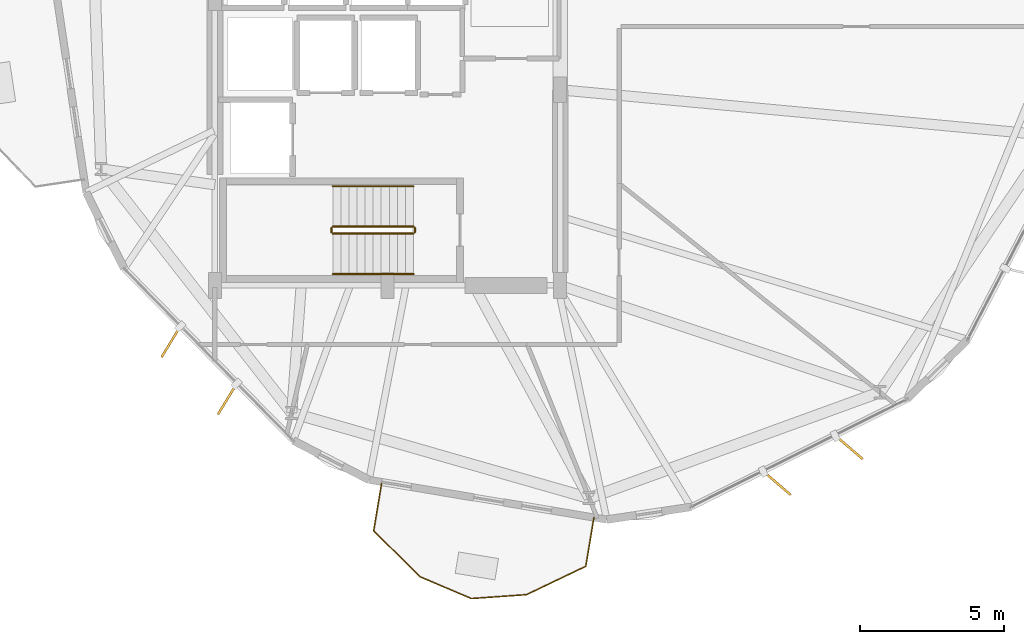
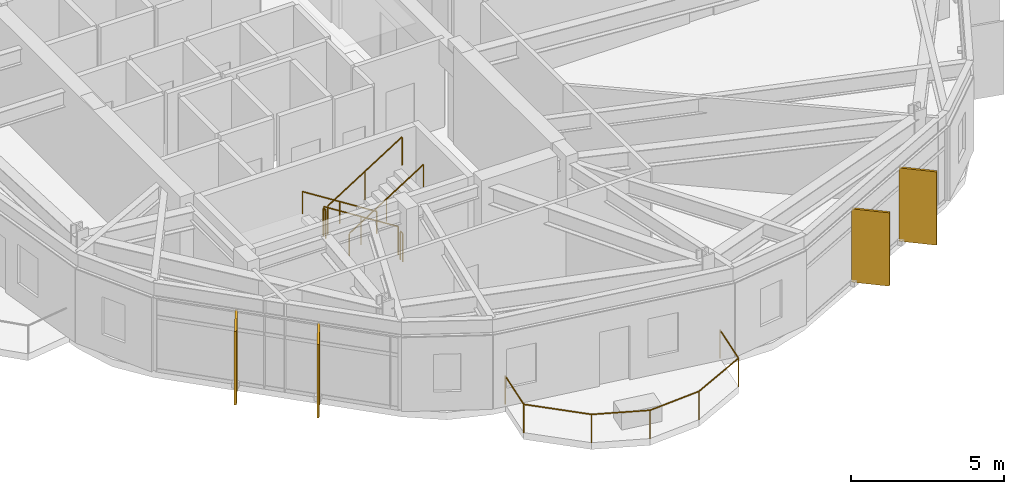
# One storey, part 20 of 22: 7 railings, 4 shading devices.
"""IFC4 building model written with IfcOpenShell, lengths in metres."""

from ifc_helpers import new_model, si_unit, direction, frame, origin, origin_2d, place, context, subcontext, project, spatial, rectangle, circle, extrude, material, layer, layer_set, type_object, element, save


model = new_model("IFC4")

# Units and contexts
model_context = context("Model", 3, precision=1e-05, world=origin(), true_north=direction((0.0, 1.0)))
body_context = subcontext(model_context, "Body", "Model", "MODEL_VIEW")
ifc_project = project(units=[si_unit("LENGTHUNIT", "METRE"), si_unit("AREAUNIT", "SQUARE_METRE"), si_unit("VOLUMEUNIT", "CUBIC_METRE"), si_unit("PLANEANGLEUNIT", "RADIAN"), si_unit("MASSUNIT", "GRAM", prefix="KILO")], contexts=[model_context])

# Site, building, storey
site_placement = place(None, origin())
site = spatial("IfcSite", under=ifc_project, at=site_placement, CompositionType="ELEMENT")
building_placement = place(site_placement, origin())
building = spatial("IfcBuilding", under=site, at=building_placement, Name="Soratama Intermodal Tower", CompositionType="ELEMENT")
storey_placement = place(building_placement, frame((0.0, 0.0, 130.300048828125)))
storey = spatial("IfcBuildingStorey", under=building, at=storey_placement, Name="L31", CompositionType="ELEMENT", Elevation=130.300048828125)

# Railings
ifc_material_1 = material(Name="Laminated glass and stainless steel balustrade", Category="steel")
railing_type_1 = type_object("IfcRailingType", Name="RL-BAL-1150", PredefinedType="BALUSTRADE", material=ifc_material_1)
railing_1_placement = place(storey_placement, frame((45.7734375, 6.936279296875, 0.0)))
element("IfcRailing", 1, at=railing_1_placement, inside=storey, type_object=railing_type_1, Name="L31 Balcony Balustrade 3", PredefinedType="BALUSTRADE", context=body_context, shape_type="SweptSolid", body=[
    extrude(circle(Radius=0.02392578125, at=origin_2d()), frame((0.0, 0.0, 1.1259765625), z_axis=(-0.164652174889, -0.986351692503, 0.0), x_axis=(0.986351692503, -0.164652174889, 0.0)), (0.0, 0.0, 1.0), 1.719970703125),
    extrude(circle(Radius=0.02392578125, at=origin_2d()), frame((-0.283203125, -1.696533203125, 1.1259765625), z_axis=(-0.902056386037, -0.431618206763, 0.0), x_axis=(0.431618206763, -0.902056386037, 0.0)), (0.0, 0.0, 1.0), 2.282958984375),
    extrude(circle(Radius=0.02392578125, at=origin_2d()), frame((-2.342529296875, -2.681884765625, 1.1259765625), z_axis=(-0.997531022271, -0.070227199913, 0.0), x_axis=(0.070227199913, -0.997531022271, 0.0)), (0.0, 0.0, 1.0), 1.92236328125),
    extrude(circle(Radius=0.02392578125, at=origin_2d()), frame((-4.26025390625, -2.81689453125, 1.1259765625), z_axis=(-0.920558253189, 0.390605302685, 0.0), x_axis=(-0.390605302685, -0.920558253189, 0.0)), (0.0, 0.0, 1.0), 1.921875),
    extrude(circle(Radius=0.02392578125, at=origin_2d()), frame((-6.029541015625, -2.066162109375, 1.1259765625), z_axis=(-0.712910517621, 0.701255013433, 0.0), x_axis=(-0.701255013433, -0.712910517621, 0.0)), (0.0, 0.0, 1.0), 2.283203125),
    extrude(circle(Radius=0.02392578125, at=origin_2d()), frame((-7.6572265625, -0.465087890625, 1.1259765625), z_axis=(0.164675230079, 0.986347843612, 0.0), x_axis=(-0.986347843612, 0.164675230079, 0.0)), (0.0, 0.0, 1.0), 1.7197265625),
    extrude(circle(Radius=0.02099609375, at=origin_2d()), origin(), (0.0, 0.0, 1.0), 1.101806640625),
    extrude(circle(Radius=0.02099609375, at=origin_2d()), frame((-0.283203125, -1.696533203125, 0.0)), (0.0, 0.0, 1.0), 1.101806640625),
    extrude(circle(Radius=0.02099609375, at=origin_2d()), frame((-2.342529296875, -2.681884765625, 0.0)), (0.0, 0.0, 1.0), 1.101806640625),
    extrude(circle(Radius=0.02099609375, at=origin_2d()), frame((-4.26025390625, -2.81689453125, 0.0)), (0.0, 0.0, 1.0), 1.101806640625),
    extrude(circle(Radius=0.02099609375, at=origin_2d()), frame((-6.029541015625, -2.066162109375, 0.0)), (0.0, 0.0, 1.0), 1.101806640625),
    extrude(circle(Radius=0.02099609375, at=origin_2d()), frame((-7.6572265625, -0.465087890625, 0.0)), (0.0, 0.0, 1.0), 1.101806640625),
    extrude(circle(Radius=0.02099609375, at=origin_2d()), frame((-7.3740234375, 1.231201171875, 0.0)), (0.0, 0.0, 1.0), 1.101806640625),
])
ifc_material_2 = material(Name="Painted steel stair guardrail", Category="steel")
railing_type_2 = type_object("IfcRailingType", Name="RL-STAIR-GUARD", PredefinedType="GUARDRAIL", material=ifc_material_2)
railing_2_placement = place(storey_placement, frame((39.5, 17.050048828125, 0.17724609375)))
element("IfcRailing", 2, at=railing_2_placement, inside=storey, type_object=railing_type_2, Name="L31 ST-1 stair guard 1", PredefinedType="GUARDRAIL", context=body_context, shape_type="SweptSolid", body=[
    extrude(circle(Radius=0.02392578125, at=origin_2d()), frame((0.0, 0.0, 1.1259765625), z_axis=(-0.844908973607, 0.0, 0.534910110503), x_axis=(0.0, -1.0, 0.0)), (0.0, 0.0, 1.0), 3.31396484375),
    extrude(circle(Radius=0.02099609375, at=origin_2d()), origin(), (0.0, 0.0, 1.0), 1.101806640625),
    extrude(circle(Radius=0.02099609375, at=origin_2d()), frame((-1.39990234375, 0.0, 0.88623046875)), (0.0, 0.0, 1.0), 1.101806640625),
    extrude(circle(Radius=0.02099609375, at=origin_2d()), frame((-2.800048828125, 0.0, 1.772705078125)), (0.0, 0.0, 1.0), 1.101806640625),
])
railing_3_placement = place(storey_placement, frame((36.64990234375, 17.0, 1.949951171875)))
element("IfcRailing", 3, at=railing_3_placement, inside=storey, type_object=railing_type_2, Name="L31 ST-1 stair guard 2", PredefinedType="GUARDRAIL", context=body_context, shape_type="SweptSolid", body=[
    extrude(circle(Radius=0.02392578125, at=origin_2d()), frame((0.0, 0.0, 1.1259765625), z_axis=(0.0, -1.0, 0.0), x_axis=(1.0, 0.0, 0.0)), (0.0, 0.0, 1.0), 0.14990234375),
    extrude(circle(Radius=0.02099609375, at=origin_2d()), origin(), (0.0, 0.0, 1.0), 1.101806640625),
    extrude(circle(Radius=0.02099609375, at=origin_2d()), frame((0.0, -0.14990234375, 0.0)), (0.0, 0.0, 1.0), 1.101806640625),
])
railing_4_placement = place(storey_placement, frame((36.699951171875, 16.800048828125, 2.127197265625)))
element("IfcRailing", 4, at=railing_4_placement, inside=storey, type_object=railing_type_2, Name="L31 ST-1 stair guard 3", PredefinedType="GUARDRAIL", context=body_context, shape_type="SweptSolid", body=[
    extrude(circle(Radius=0.02392578125, at=origin_2d()), frame((0.0, 0.0, 1.1259765625), z_axis=(0.844908973607, 0.0, 0.534910110503), x_axis=(0.0, 1.0, 0.0)), (0.0, 0.0, 1.0), 3.31396484375),
    extrude(circle(Radius=0.02099609375, at=origin_2d()), origin(), (0.0, 0.0, 1.0), 1.101806640625),
    extrude(circle(Radius=0.02099609375, at=origin_2d()), frame((1.39990234375, 0.0, 0.88623046875)), (0.0, 0.0, 1.0), 1.101806640625),
    extrude(circle(Radius=0.02099609375, at=origin_2d()), frame((2.800048828125, 0.0, 1.772705078125)), (0.0, 0.0, 1.0), 1.101806640625),
])
railing_5_placement = place(storey_placement, frame((39.550048828125, 17.0, 0.0)))
element("IfcRailing", 5, at=railing_5_placement, inside=storey, type_object=railing_type_2, Name="L31 ST-1 stair guard 4", PredefinedType="GUARDRAIL", context=body_context, shape_type="SweptSolid", body=[
    extrude(circle(Radius=0.02392578125, at=origin_2d()), frame((0.0, 0.0, 1.1259765625), z_axis=(0.0, -1.0, 0.0), x_axis=(1.0, 0.0, 0.0)), (0.0, 0.0, 1.0), 0.14990234375),
    extrude(circle(Radius=0.02099609375, at=origin_2d()), origin(), (0.0, 0.0, 1.0), 1.101806640625),
    extrude(circle(Radius=0.02099609375, at=origin_2d()), frame((0.0, -0.14990234375, 0.0)), (0.0, 0.0, 1.0), 1.101806640625),
])
ifc_material_3 = material(Name="Brushed stainless steel handrail", Category="steel")
railing_type_3 = type_object("IfcRailingType", Name="RL-STAIR-HAND", PredefinedType="HANDRAIL", material=ifc_material_3)
railing_6_placement = place(storey_placement, frame((39.5, 18.449951171875, 0.17724609375)))
element("IfcRailing", 6, at=railing_6_placement, inside=storey, type_object=railing_type_3, Name="L31 ST-1 stair handrail 1", PredefinedType="HANDRAIL", context=body_context, shape_type="SweptSolid", body=[
    extrude(circle(Radius=0.02392578125, at=origin_2d()), frame((0.0, 0.0, 0.8759765625), z_axis=(-0.844908973607, 0.0, 0.534910110503), x_axis=(0.0, -1.0, 0.0)), (0.0, 0.0, 1.0), 3.31396484375),
    extrude(circle(Radius=0.02099609375, at=origin_2d()), origin(), (0.0, 0.0, 1.0), 0.851806640625),
    extrude(circle(Radius=0.02099609375, at=origin_2d()), frame((-1.39990234375, 0.0, 0.88623046875)), (0.0, 0.0, 1.0), 0.851806640625),
    extrude(circle(Radius=0.02099609375, at=origin_2d()), frame((-2.800048828125, 0.0, 1.772705078125)), (0.0, 0.0, 1.0), 0.851806640625),
])
railing_7_placement = place(storey_placement, frame((36.699951171875, 15.39990234375, 2.127197265625)))
element("IfcRailing", 7, at=railing_7_placement, inside=storey, type_object=railing_type_3, Name="L31 ST-1 stair handrail 2", PredefinedType="HANDRAIL", context=body_context, shape_type="SweptSolid", body=[
    extrude(circle(Radius=0.02392578125, at=origin_2d()), frame((0.0, 0.0, 0.8759765625), z_axis=(0.844908973607, 0.0, 0.534910110503), x_axis=(0.0, 1.0, 0.0)), (0.0, 0.0, 1.0), 3.31396484375),
    extrude(circle(Radius=0.02099609375, at=origin_2d()), origin(), (0.0, 0.0, 1.0), 0.851806640625),
    extrude(circle(Radius=0.02099609375, at=origin_2d()), frame((1.39990234375, 0.0, 0.88623046875)), (0.0, 0.0, 1.0), 0.851806640625),
    extrude(circle(Radius=0.02099609375, at=origin_2d()), frame((2.800048828125, 0.0, 1.772705078125)), (0.0, 0.0, 1.0), 0.851806640625),
])

# Shading devices
ifc_material_4 = material(Name="Champagne anodised aluminium solar fin", Category="aluminium")
ifc_layer = layer(ifc_material_4, 0.080078125)
ifc_layer_set = layer_set([ifc_layer], Name="Champagne anodised aluminium solar fin")
shading_device_type = type_object("IfcShadingDeviceType", Name="SH-FIN-1250", PredefinedType="USERDEFINED", material=ifc_layer_set)
for number, where, z_axis, x_axis, name in (
    (8, (31.072509765625, 13.04150390625, 0.02001953125), (0.0, 0.0, 1.0), (-0.52056264229, -0.853823480265, 0.0), "L31 Solar Fin F06-1"),
    (9, (33.0302734375, 11.05078125, 0.02001953125), (0.0, 0.0, 1.0), (-0.52056264229, -0.853823480265, 0.0), "L31 Solar Fin F06-2"),
    (10, (52.138916015625, 8.128173828125, 0.02001953125), (0.0, 0.0, 1.0), (0.758703110659, -0.651436558597, 0.0), "L31 Solar Fin F08-1"),
    (11, (54.63720703125, 9.374755859375, 0.02001953125), (0.0, 0.0, 1.0), (0.758703110659, -0.651436558597, 0.0), "L31 Solar Fin F08-2"),
):
    element("IfcShadingDevice", number, at=place(storey_placement, frame(where, z_axis=z_axis, x_axis=x_axis)), inside=storey, type_object=shading_device_type, Name=name, ObjectType="FIN", PredefinedType="USERDEFINED", context=body_context, shape_type="SweptSolid", body=[
        extrude(rectangle(XDim=1.25, YDim=0.080078125, at=origin_2d()), origin(), (0.0, 0.0, 1.0), 2.9189453125),
    ])

save(model, "model.ifc")
